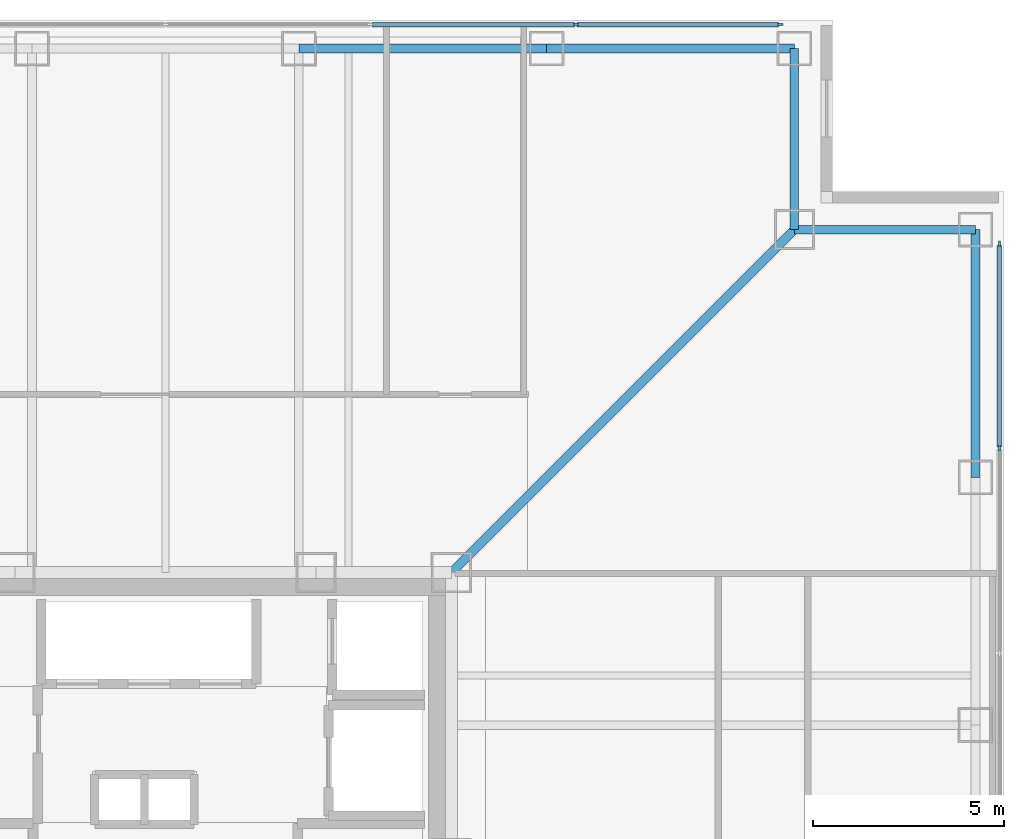
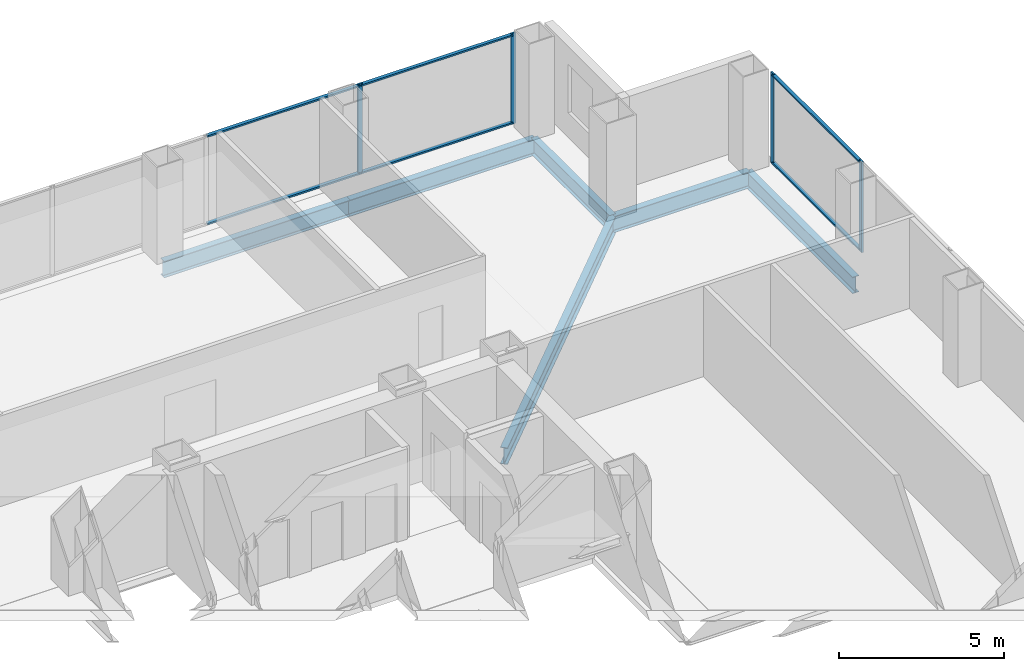
# One storey, part 8 of 14: 10 members, 6 beams, 2 elements without a shape of their own.
"""IFC4 building model written with IfcOpenShell, lengths in metres."""

from ifc_helpers import new_model, si_unit, direction, frame, origin, origin_2d, place, context, subcontext, project, spatial, rectangle, i_section, extrude, material, layer, layer_set, material_profile, profile_set, type_object, element, aggregate, save


model = new_model("IFC4")

# Units and contexts
model_context = context("Model", 3, precision=1e-05, world=origin(), true_north=direction((0.0, 1.0)))
body_context = subcontext(model_context, "Body", "Model", "MODEL_VIEW")
ifc_project = project(units=[si_unit("LENGTHUNIT", "METRE"), si_unit("AREAUNIT", "SQUARE_METRE"), si_unit("VOLUMEUNIT", "CUBIC_METRE"), si_unit("PLANEANGLEUNIT", "RADIAN"), si_unit("MASSUNIT", "GRAM", prefix="KILO")], contexts=[model_context])

# Site, building, storey
site_placement = place(None, origin())
site = spatial("IfcSite", under=ifc_project, at=site_placement, CompositionType="ELEMENT")
building_placement = place(site_placement, origin())
building = spatial("IfcBuilding", under=site, at=building_placement, Name="Trevonay Congress Spire", CompositionType="ELEMENT")
storey_placement = place(building_placement, frame((0.0, 0.0, 140.800048828125)))
storey = spatial("IfcBuildingStorey", under=building, at=storey_placement, Name="L36", CompositionType="ELEMENT", Elevation=140.800048828125)

# Beams
ifc_material_1 = material(Name="Steel ASTM A572 Grade 50", Category="steel")
ifc_material_profile_1 = material_profile(ifc_material_1, i_section(OverallWidth=0.22998046875, OverallDepth=0.616943359375, WebThickness=0.01318359375, FlangeThickness=0.022216796875, FilletRadius=0.01611328125, at=origin_2d()), Name="W610x140")
ifc_profile_set_1 = profile_set([ifc_material_profile_1], Name="Steel ASTM A572 Grade 50")
beam_type_1 = type_object("IfcBeamType", Name="BM-GIRD-W610X140", PredefinedType="BEAM", material=ifc_profile_set_1)
beam_placement = place(storey_placement, frame((7.5, 7.5, -0.548583984375), z_axis=(0.707106781187, 0.707106781187, 0.0), x_axis=(-0.707106781187, 0.707106781187, 0.0)))
element("IfcBeam", 1, at=beam_placement, inside=storey, type_object=beam_type_1, Name="L36 structural beam BM-L36-CDNE", PredefinedType="BEAM", context=body_context, shape_type="SweptSolid", body=[
    extrude(i_section(OverallWidth=0.22998046875, OverallDepth=0.616943359375, WebThickness=0.01318359375, FlangeThickness=0.022216796875, FilletRadius=0.01611328125, at=origin_2d()), origin(), (0.0, 0.0, 1.0), 12.72802734375),
])
ifc_material_profile_2 = material_profile(ifc_material_1, i_section(OverallWidth=0.22802734375, OverallDepth=0.60791015625, WebThickness=0.01123046875, FlangeThickness=0.017333984375, FilletRadius=0.01611328125, at=origin_2d()), Name="W610x113")
ifc_profile_set_2 = profile_set([ifc_material_profile_2], Name="Steel ASTM A572 Grade 50")
beam_type_2 = type_object("IfcBeamType", Name="BM-RING-W610X113", PredefinedType="BEAM", material=ifc_profile_set_2)
for number, where, z_axis, x_axis, name in (
    (2, (3.5, 21.25, -0.5439453125), (1.0, 0.0, 0.0), (0.0, 1.0, 0.0), "L36 structural beam BM-L36-PN4"),
    (3, (10.0, 21.25, -0.5439453125), (1.0, 0.0, 0.0), (0.0, 1.0, 0.0), "L36 structural beam BM-L36-PN5"),
    (4, (21.25, 10.0, -0.5439453125), (0.0, 1.0, 0.0), (-1.0, 0.0, 0.0), "L36 structural beam BM-L36-PE5"),
):
    element("IfcBeam", number, at=place(storey_placement, frame(where, z_axis=z_axis, x_axis=x_axis)), inside=storey, type_object=beam_type_2, Name=name, PredefinedType="BEAM", context=body_context, shape_type="SweptSolid", body=[
        extrude(i_section(OverallWidth=0.22802734375, OverallDepth=0.60791015625, WebThickness=0.01123046875, FlangeThickness=0.017333984375, FilletRadius=0.01611328125, at=origin_2d()), origin(), (0.0, 0.0, 1.0), 6.5),
    ])
for number, where, z_axis, x_axis, name in (
    (5, (16.5, 21.25, -0.5439453125), (0.0, -1.0, 0.0), (1.0, 0.0, 0.0), "L36 structural beam BM-L36-N1NE"),
    (6, (21.25, 16.5, -0.5439453125), (-1.0, 0.0, 0.0), (0.0, -1.0, 0.0), "L36 structural beam BM-L36-N2NE"),
):
    element("IfcBeam", number, at=place(storey_placement, frame(where, z_axis=z_axis, x_axis=x_axis)), inside=storey, type_object=beam_type_2, Name=name, PredefinedType="BEAM", context=body_context, shape_type="SweptSolid", body=[
        extrude(i_section(OverallWidth=0.22802734375, OverallDepth=0.60791015625, WebThickness=0.01123046875, FlangeThickness=0.017333984375, FilletRadius=0.01611328125, at=origin_2d()), origin(), (0.0, 0.0, 1.0), 4.75),
    ])

# Curtain wall, members
ifc_material_2 = material(Name="Pale Anodised Aluminium EN AW-6063-T6", Category="aluminium")
ifc_layer = layer(ifc_material_2, 0.175048828125, Name="Pale Anodised Aluminium EN AW-6063-T6")
ifc_layer_set = layer_set([ifc_layer], Name="Pale Anodised Aluminium EN AW-6063-T6")
curtain_wall_type = type_object("IfcCurtainWallType", Name="CW-SYS03-CONGRESS-PALE-METAL", PredefinedType="NOTDEFINED", material=ifc_layer_set)
curtain_wall_1_placement = place(storey_placement, origin())
curtain_wall_1 = element("IfcCurtainWall", 7, at=curtain_wall_1_placement, inside=storey, type_object=curtain_wall_type, Name="L36 N unitised curtain wall", PredefinedType="NOTDEFINED")
ifc_material_profile_3 = material_profile(ifc_material_2, rectangle(XDim=0.06005859375, YDim=0.159912109375, at=origin_2d()), Name="CW-MULLION-160-ALUMINIUM")
ifc_profile_set_3 = profile_set([ifc_material_profile_3], Name="Pale Anodised Aluminium EN AW-6063-T6")
member_type_1 = type_object("IfcMemberType", Name="CW-MULLION-160-ALUMINIUM", PredefinedType="MULLION", material=ifc_profile_set_3)
member_1_placement = place(storey_placement, frame((10.7666015625, 21.8798828125, 0.0), z_axis=(0.0, 0.0, 1.0), x_axis=(0.0, 1.0, 0.0)))
member_1 = element("IfcMember", 8, at=member_1_placement, type_object=member_type_1, Name="CW03 mullion 6", PredefinedType="MULLION", context=body_context, shape_type="SweptSolid", body=[
    extrude(rectangle(XDim=0.06005859375, YDim=0.159912109375, at=origin_2d()), origin(), (0.0, 0.0, 1.0), 3.35986328125),
])
member_2_placement = place(storey_placement, frame((16.1201171875, 21.8798828125, 0.0), z_axis=(0.0, 0.0, 1.0), x_axis=(0.0, 1.0, 0.0)))
member_2 = element("IfcMember", 9, at=member_2_placement, type_object=member_type_1, Name="CW03 mullion 7", PredefinedType="MULLION", context=body_context, shape_type="SweptSolid", body=[
    extrude(rectangle(XDim=0.06005859375, YDim=0.159912109375, at=origin_2d()), origin(), (0.0, 0.0, 1.0), 3.35986328125),
])

curtain_wall_2_placement = place(storey_placement, origin())
curtain_wall_2 = element("IfcCurtainWall", 10, at=curtain_wall_2_placement, inside=storey, type_object=curtain_wall_type, Name="L36 E unitised curtain wall", PredefinedType="NOTDEFINED")
member_3_placement = place(storey_placement, frame((21.8798828125, 10.7666015625, 0.0), z_axis=(0.0, 0.0, 1.0), x_axis=(-1.0, 0.0, 0.0)))
member_3 = element("IfcMember", 11, at=member_3_placement, type_object=member_type_1, Name="CW03 mullion 6", PredefinedType="MULLION", context=body_context, shape_type="SweptSolid", body=[
    extrude(rectangle(XDim=0.06005859375, YDim=0.159912109375, at=origin_2d()), origin(), (0.0, 0.0, 1.0), 3.35986328125),
])
member_4_placement = place(storey_placement, frame((21.8798828125, 16.1201171875, 0.0), z_axis=(0.0, 0.0, 1.0), x_axis=(-1.0, 0.0, 0.0)))
member_4 = element("IfcMember", 12, at=member_4_placement, type_object=member_type_1, Name="CW03 mullion 7", PredefinedType="MULLION", context=body_context, shape_type="SweptSolid", body=[
    extrude(rectangle(XDim=0.06005859375, YDim=0.159912109375, at=origin_2d()), origin(), (0.0, 0.0, 1.0), 3.35986328125),
])

# Member
ifc_material_profile_4 = material_profile(ifc_material_2, rectangle(XDim=0.1201171875, YDim=0.06005859375, at=origin_2d()), Name="CW-TRANSOM-120-ALUMINIUM")
ifc_profile_set_4 = profile_set([ifc_material_profile_4], Name="Pale Anodised Aluminium EN AW-6063-T6")
member_type_2 = type_object("IfcMemberType", Name="CW-TRANSOM-120-ALUMINIUM", PredefinedType="USERDEFINED", material=ifc_profile_set_4)
member_5_placement = place(storey_placement, frame((5.413330078125, 21.8798828125, 0.06005859375), z_axis=(1.0, 0.0, 0.0), x_axis=(0.0, 1.0, 0.0)))
member_5 = element("IfcMember", 13, at=member_5_placement, type_object=member_type_2, Name="CW03 transom 5.1", ObjectType="TRANSOM", PredefinedType="USERDEFINED", context=body_context, shape_type="SweptSolid", body=[
    extrude(rectangle(XDim=0.1201171875, YDim=0.06005859375, at=origin_2d()), origin(), (0.0, 0.0, 1.0), 5.3232421875),
])

member_6_placement = place(storey_placement, frame((5.413330078125, 21.8798828125, 3.300048828125), z_axis=(1.0, 0.0, 0.0), x_axis=(0.0, 1.0, 0.0)))
member_6 = element("IfcMember", 14, at=member_6_placement, type_object=member_type_2, Name="CW03 transom 5.2", ObjectType="TRANSOM", PredefinedType="USERDEFINED", context=body_context, shape_type="SweptSolid", body=[
    extrude(rectangle(XDim=0.1201171875, YDim=0.06005859375, at=origin_2d()), origin(), (0.0, 0.0, 1.0), 5.3232421875),
])

member_7_placement = place(storey_placement, frame((10.796630859375, 21.8798828125, 0.06005859375), z_axis=(1.0, 0.0, 0.0), x_axis=(0.0, 1.0, 0.0)))
member_7 = element("IfcMember", 15, at=member_7_placement, type_object=member_type_2, Name="CW03 transom 6.1", ObjectType="TRANSOM", PredefinedType="USERDEFINED", context=body_context, shape_type="SweptSolid", body=[
    extrude(rectangle(XDim=0.1201171875, YDim=0.06005859375, at=origin_2d()), origin(), (0.0, 0.0, 1.0), 5.29345703125),
])

member_8_placement = place(storey_placement, frame((10.796630859375, 21.8798828125, 3.300048828125), z_axis=(1.0, 0.0, 0.0), x_axis=(0.0, 1.0, 0.0)))
member_8 = element("IfcMember", 16, at=member_8_placement, type_object=member_type_2, Name="CW03 transom 6.2", ObjectType="TRANSOM", PredefinedType="USERDEFINED", context=body_context, shape_type="SweptSolid", body=[
    extrude(rectangle(XDim=0.1201171875, YDim=0.06005859375, at=origin_2d()), origin(), (0.0, 0.0, 1.0), 5.29345703125),
])

aggregate(curtain_wall_1, [member_1, member_2, member_5, member_6, member_7, member_8])

member_9_placement = place(storey_placement, frame((21.8798828125, 10.796630859375, 0.06005859375), z_axis=(0.0, 1.0, 0.0), x_axis=(-1.0, 0.0, 0.0)))
member_9 = element("IfcMember", 17, at=member_9_placement, type_object=member_type_2, Name="CW03 transom 6.1", ObjectType="TRANSOM", PredefinedType="USERDEFINED", context=body_context, shape_type="SweptSolid", body=[
    extrude(rectangle(XDim=0.1201171875, YDim=0.06005859375, at=origin_2d()), origin(), (0.0, 0.0, 1.0), 5.29345703125),
])

member_10_placement = place(storey_placement, frame((21.8798828125, 10.796630859375, 3.300048828125), z_axis=(0.0, 1.0, 0.0), x_axis=(-1.0, 0.0, 0.0)))
member_10 = element("IfcMember", 18, at=member_10_placement, type_object=member_type_2, Name="CW03 transom 6.2", ObjectType="TRANSOM", PredefinedType="USERDEFINED", context=body_context, shape_type="SweptSolid", body=[
    extrude(rectangle(XDim=0.1201171875, YDim=0.06005859375, at=origin_2d()), origin(), (0.0, 0.0, 1.0), 5.29345703125),
])

aggregate(curtain_wall_2, [member_3, member_4, member_9, member_10])

save(model, "model.ifc")
